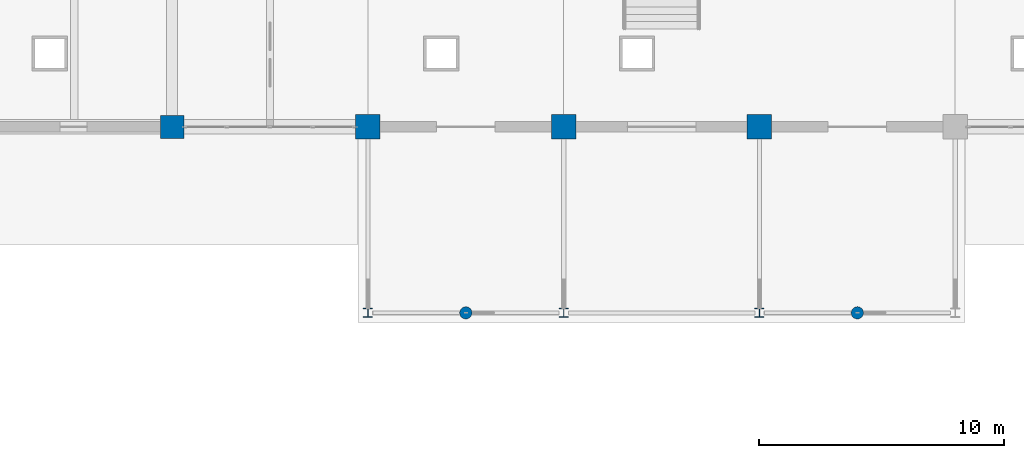
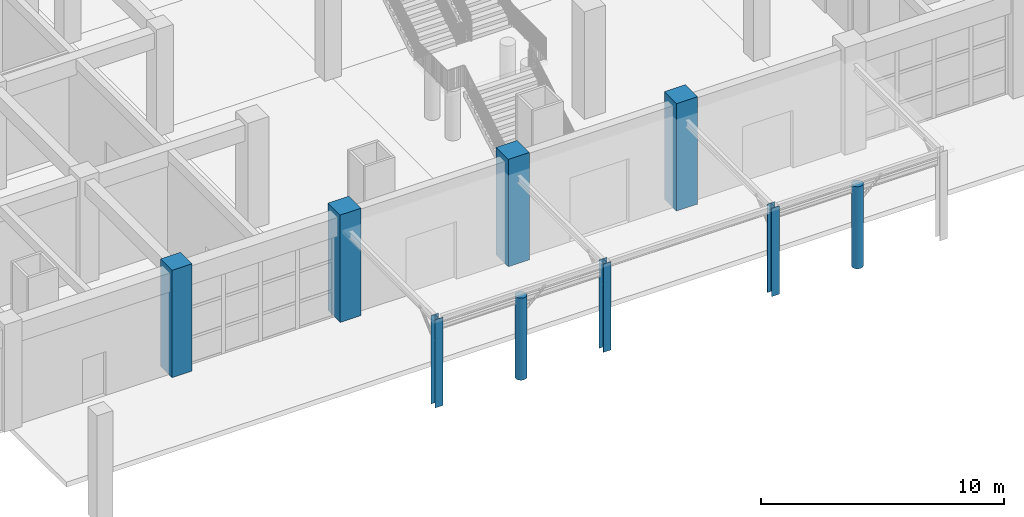
# One storey, part 2 of 95: 9 columns.
"""IFC4 building model written with IfcOpenShell, lengths in metres."""

from ifc_helpers import new_model, si_unit, direction, frame, origin, origin_2d, place, context, subcontext, project, spatial, rectangle, circle, i_section, extrude, material, material_profile, profile_set, type_object, element, save


model = new_model("IFC4")

# Units and contexts
model_context = context("Model", 3, precision=1e-05, world=origin(), true_north=direction((0.0, 1.0)))
body_context = subcontext(model_context, "Body", "Model", "MODEL_VIEW")
ifc_project = project(units=[si_unit("LENGTHUNIT", "METRE"), si_unit("AREAUNIT", "SQUARE_METRE"), si_unit("VOLUMEUNIT", "CUBIC_METRE"), si_unit("PLANEANGLEUNIT", "RADIAN"), si_unit("MASSUNIT", "GRAM", prefix="KILO")], contexts=[model_context])

# Site, building, storey
site_placement = place(None, origin())
site = spatial("IfcSite", under=ifc_project, at=site_placement, CompositionType="ELEMENT")
building_placement = place(site_placement, origin())
building = spatial("IfcBuilding", under=site, at=building_placement, Name="Zantavel Square City Hall", CompositionType="ELEMENT")
storey_placement = place(building_placement, origin())
storey = spatial("IfcBuildingStorey", under=building, at=storey_placement, Name="L01", CompositionType="ELEMENT", Elevation=0.0)

# Columns
ifc_material_1 = material(Name="Steel ASTM A992 Grade 50", Category="steel")
ifc_material_profile_1 = material_profile(ifc_material_1, i_section(OverallWidth=0.368896484375, OverallDepth=0.35595703125, WebThickness=0.01123046875, FlangeThickness=0.01806640625, at=origin_2d()), Name="W360x134")
ifc_profile_set_1 = profile_set([ifc_material_profile_1], Name="Steel ASTM A992 Grade 50")
column_type_1 = type_object("IfcColumnType", Name="Canopy Steel Column W360x134", PredefinedType="COLUMN", material=ifc_profile_set_1)
for number, where, z_axis, x_axis, name in (
    (1, (72.0, 22.800048828125, 0.0), (0.0, 0.0, 1.0), (1.0, 0.0, 0.0), "L01 Entrance Canopy Column 72"),
    (2, (80.0, 22.800048828125, 0.0), (0.0, 0.0, 1.0), (1.0, 0.0, 0.0), "L01 Entrance Canopy Column 80"),
    (3, (88.0, 22.800048828125, 0.0), (0.0, 0.0, 1.0), (1.0, 0.0, 0.0), "L01 Entrance Canopy Column 88"),
):
    element("IfcColumn", number, at=place(storey_placement, frame(where, z_axis=z_axis, x_axis=x_axis)), inside=storey, type_object=column_type_1, Name=name, PredefinedType="COLUMN", context=body_context, shape_type="SweptSolid", body=[
        extrude(i_section(OverallWidth=0.368896484375, OverallDepth=0.35595703125, WebThickness=0.01123046875, FlangeThickness=0.01806640625, at=origin_2d()), origin(), (0.0, 0.0, 1.0), 4.43994140625),
    ])
ifc_material_2 = material(Name="Concrete C40/50", Category="concrete")
ifc_material_profile_2 = material_profile(ifc_material_2, rectangle(XDim=1.0, YDim=1.0, at=origin_2d()), Name="RC 1000x1000")
ifc_profile_set_2 = profile_set([ifc_material_profile_2], Name="Concrete C40/50")
column_type_2 = type_object("IfcColumnType", Name="Column RC 1000x1000 C40/50", PredefinedType="COLUMN", material=ifc_profile_set_2)
for number, where, z_axis, x_axis, name in (
    (4, (72.0, 30.39990234375, 0.0), (0.0, 0.0, 1.0), (1.0, 0.0, 0.0), "L01 Column COL-L01-0720-0304"),
    (5, (80.0, 30.39990234375, 0.0), (0.0, 0.0, 1.0), (1.0, 0.0, 0.0), "L01 Column COL-L01-0800-0304"),
    (6, (88.0, 30.39990234375, 0.0), (0.0, 0.0, 1.0), (1.0, 0.0, 0.0), "L01 Column COL-L01-0880-0304"),
):
    element("IfcColumn", number, at=place(storey_placement, frame(where, z_axis=z_axis, x_axis=x_axis)), inside=storey, type_object=column_type_2, Name=name, PredefinedType="COLUMN", context=body_context, shape_type="SweptSolid", body=[
        extrude(rectangle(XDim=1.0, YDim=1.0, at=origin_2d()), origin(), (0.0, 0.0, 1.0), 5.39990234375),
    ])
ifc_material_profile_3 = material_profile(ifc_material_2, circle(Radius=0.25, at=origin_2d()), Name="ROUND D500")
ifc_profile_set_3 = profile_set([ifc_material_profile_3], Name="Concrete C40/50")
column_type_3 = type_object("IfcColumnType", Name="Portico Canopy Classical Column D500 C40/50", PredefinedType="COLUMN", material=ifc_profile_set_3)
for number, where, z_axis, x_axis, name in (
    (7, (76.0, 22.800048828125, 0.0), (0.0, 0.0, 1.0), (1.0, 0.0, 0.0), "L01 Portico Classical Column 76"),
    (8, (92.0, 22.800048828125, 0.0), (0.0, 0.0, 1.0), (1.0, 0.0, 0.0), "L01 Portico Classical Column 92"),
):
    element("IfcColumn", number, at=place(storey_placement, frame(where, z_axis=z_axis, x_axis=x_axis)), inside=storey, type_object=column_type_3, Name=name, PredefinedType="COLUMN", context=body_context, shape_type="SweptSolid", body=[
        extrude(circle(Radius=0.25, at=origin_2d()), origin(), (0.0, 0.0, 1.0), 4.126953125),
    ])
ifc_material_profile_4 = material_profile(ifc_material_2, rectangle(XDim=0.949951171875, YDim=0.949951171875, at=origin_2d()), Name="RC 950x950")
ifc_profile_set_4 = profile_set([ifc_material_profile_4], Name="Concrete C40/50")
column_type_4 = type_object("IfcColumnType", Name="Vault Corner Pier Column RC 950x950 C40/50", PredefinedType="COLUMN", material=ifc_profile_set_4)
column_placement = place(storey_placement, frame((64.0, 30.39990234375, 0.0), z_axis=(0.0, 0.0, 1.0), x_axis=(1.0, 0.0, 0.0)))
element("IfcColumn", 9, at=column_placement, inside=storey, type_object=column_type_4, Name="L01 Column COL-L01-0640-0304", PredefinedType="COLUMN", context=body_context, shape_type="SweptSolid", body=[
    extrude(rectangle(XDim=0.949951171875, YDim=0.949951171875, at=origin_2d()), origin(), (0.0, 0.0, 1.0), 5.39990234375),
])

save(model, "model.ifc")
